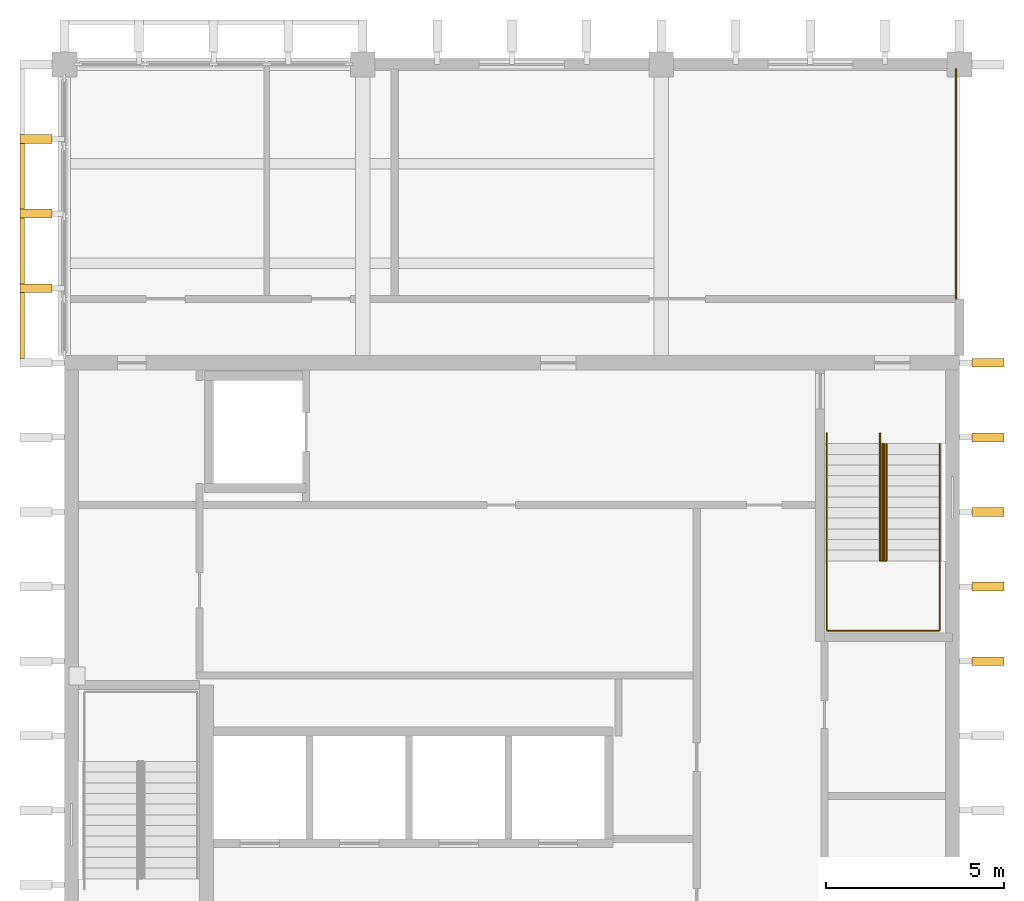
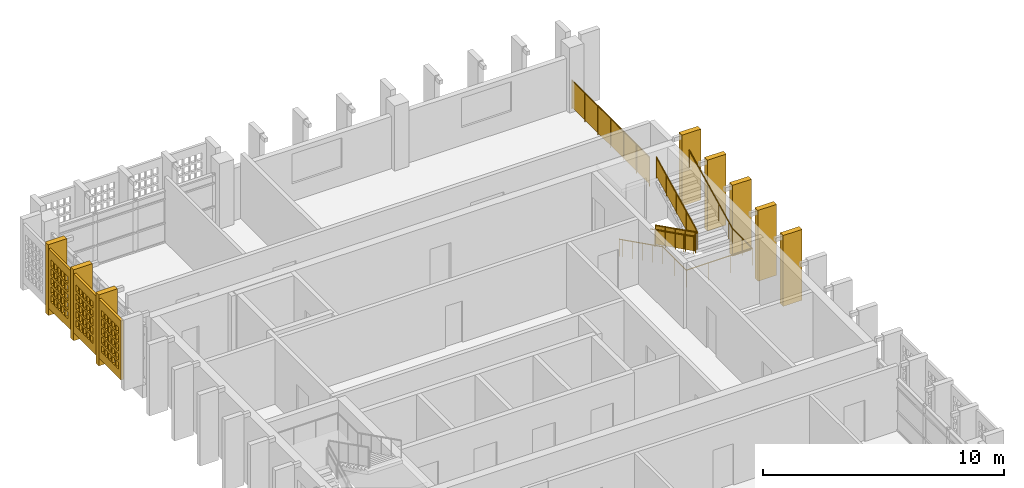
# One storey, part 10 of 13: 11 shading devices, 5 railings, 3 openings.
"""IFC4 building model written with IfcOpenShell, lengths in metres."""

from ifc_helpers import new_model, si_unit, direction, frame, origin, origin_2d, place, context, subcontext, project, spatial, polyline, rectangle, circle, outline, extrude, material, layer, layer_set, material_profile, profile_set, type_object, element, save


model = new_model("IFC4")

# Units and contexts
model_context = context("Model", 3, precision=1e-05, world=origin(), true_north=direction((0.0, 1.0)))
body_context = subcontext(model_context, "Body", "Model", "MODEL_VIEW")
ifc_project = project(units=[si_unit("LENGTHUNIT", "METRE"), si_unit("AREAUNIT", "SQUARE_METRE"), si_unit("VOLUMEUNIT", "CUBIC_METRE"), si_unit("PLANEANGLEUNIT", "RADIAN"), si_unit("MASSUNIT", "GRAM", prefix="KILO")], contexts=[model_context])

# Site, building, storey
site_placement = place(None, origin())
site = spatial("IfcSite", under=ifc_project, at=site_placement, CompositionType="ELEMENT")
building_placement = place(site_placement, origin())
building = spatial("IfcBuilding", under=site, at=building_placement, Name="Rulbaag Community and Learning Centre", CompositionType="ELEMENT")
storey_placement = place(building_placement, frame((0.0, 0.0, 54.0)))
storey = spatial("IfcBuildingStorey", under=building, at=storey_placement, Name="L14", CompositionType="ELEMENT", Elevation=54.0)

# Shading devices
ifc_material_1 = material(Name="Concrete M40", Category="concrete")
ifc_material_profile = material_profile(ifc_material_1, rectangle(XDim=0.25, YDim=0.89990234375, at=origin_2d()), Name="PC 250x900")
ifc_profile_set = profile_set([ifc_material_profile], Name="Concrete M40")
shading_device_type_1 = type_object("IfcShadingDeviceType", Name="FIN-H", PredefinedType="JALOUSIE", material=ifc_profile_set)
for number, where, z_axis, x_axis, name in (
    (1, (142.0, 111.300048828125, 0.0), (0.0, 0.0, 1.0), (0.0, 1.0, 0.0), "Precast fin"),
    (2, (142.0, 113.39990234375, 0.0), (0.0, 0.0, 1.0), (0.0, 1.0, 0.0), "Precast fin"),
    (3, (142.0, 115.5, 0.0), (0.0, 0.0, 1.0), (0.0, 1.0, 0.0), "Precast fin"),
    (4, (168.800048828125, 100.800048828125, 0.0), (0.0, 0.0, 1.0), (0.0, 1.0, 0.0), "Precast fin"),
    (5, (168.800048828125, 102.89990234375, 0.0), (0.0, 0.0, 1.0), (0.0, 1.0, 0.0), "Precast fin"),
    (6, (168.800048828125, 105.0, 0.0), (0.0, 0.0, 1.0), (0.0, 1.0, 0.0), "Precast fin"),
    (7, (168.800048828125, 107.10009765625, 0.0), (0.0, 0.0, 1.0), (0.0, 1.0, 0.0), "Precast fin"),
    (8, (168.800048828125, 109.199951171875, 0.0), (0.0, 0.0, 1.0), (0.0, 1.0, 0.0), "Precast fin"),
):
    element("IfcShadingDevice", number, at=place(storey_placement, frame(where, z_axis=z_axis, x_axis=x_axis)), inside=storey, type_object=shading_device_type_1, Name=name, PredefinedType="JALOUSIE", context=body_context, shape_type="SweptSolid", body=[
        extrude(rectangle(XDim=0.25, YDim=0.89990234375, at=origin_2d()), origin(), (0.0, 0.0, 1.0), 3.60009765625),
    ])

# Railings
ifc_material_2 = material(Name="Galvanised mild steel", Category="steel")
railing_type_1 = type_object("IfcRailingType", Name="GR-1100 GUARD 1100", PredefinedType="GUARDRAIL", material=ifc_material_2)
railing_1_placement = place(storey_placement, frame((165.830078125, 106.925048828125, 0.14990234375)))
element("IfcRailing", 9, at=railing_1_placement, inside=storey, type_object=railing_type_1, Name="Guard ST2 L14 G", PredefinedType="GUARDRAIL", context=body_context, shape_type="SweptSolid", body=[
    extrude(circle(Radius=0.02490234375, at=origin_2d()), frame((0.0, 0.0, 1.0751953125), z_axis=(0.0, -0.894413956696, 0.447240063129), x_axis=(1.0, 0.0, 0.0)), (0.0, 0.0, 1.0), 3.689697265625),
    extrude(circle(Radius=0.02001953125, at=origin_2d()), origin(), (0.0, 0.0, 1.0), 1.050048828125),
    extrude(circle(Radius=0.02001953125, at=origin_2d()), frame((0.0, -0.824951171875, 0.41259765625)), (0.0, 0.0, 1.0), 1.050048828125),
    extrude(circle(Radius=0.02001953125, at=origin_2d()), frame((0.0, -1.64990234375, 0.8251953125)), (0.0, 0.0, 1.0), 1.050048828125),
    extrude(circle(Radius=0.02001953125, at=origin_2d()), frame((0.0, -2.47509765625, 1.237548828125)), (0.0, 0.0, 1.0), 1.050048828125),
    extrude(circle(Radius=0.02001953125, at=origin_2d()), frame((0.0, -3.300048828125, 1.650146484375)), (0.0, 0.0, 1.0), 1.050048828125),
    extrude(outline(polyline([(0.0, 0.0), (3.300048828125, 1.650146484375), (3.300048828125, 2.60009765625), (0.0, 0.949951171875), (0.0, 0.0)])), frame((0.0048828125, 0.0, 0.10009765625), z_axis=(-1.0, 0.0, 0.0), x_axis=(0.0, -1.0, 0.0)), (0.0, 0.0, 1.0), 0.010009765625),
])
railing_2_placement = place(storey_placement, frame((165.8701171875, 103.625, 1.949951171875)))
element("IfcRailing", 10, at=railing_2_placement, inside=storey, type_object=railing_type_1, Name="Guard ST2 L14 G2", PredefinedType="GUARDRAIL", context=body_context, shape_type="SweptSolid", body=[
    extrude(circle(Radius=0.02490234375, at=origin_2d()), frame((0.0, 0.0, 1.0751953125), z_axis=(0.0, 0.894413956696, 0.447240063129), x_axis=(-1.0, 0.0, 0.0)), (0.0, 0.0, 1.0), 3.689697265625),
    extrude(circle(Radius=0.02001953125, at=origin_2d()), origin(), (0.0, 0.0, 1.0), 1.050048828125),
    extrude(circle(Radius=0.02001953125, at=origin_2d()), frame((0.0, 0.824951171875, 0.41259765625)), (0.0, 0.0, 1.0), 1.050048828125),
    extrude(circle(Radius=0.02001953125, at=origin_2d()), frame((0.0, 1.64990234375, 0.8251953125)), (0.0, 0.0, 1.0), 1.050048828125),
    extrude(circle(Radius=0.02001953125, at=origin_2d()), frame((0.0, 2.47509765625, 1.237548828125)), (0.0, 0.0, 1.0), 1.050048828125),
    extrude(circle(Radius=0.02001953125, at=origin_2d()), frame((0.0, 3.300048828125, 1.650146484375)), (0.0, 0.0, 1.0), 1.050048828125),
    extrude(outline(polyline([(0.0, 0.0), (3.300048828125, 1.650146484375), (3.300048828125, 2.60009765625), (0.0, 0.949951171875), (0.0, 0.0)])), frame((-0.0048828125, 0.0, 0.10009765625), z_axis=(1.0, 0.0, 0.0), x_axis=(0.0, 1.0, 0.0)), (0.0, 0.0, 1.0), 0.010009765625),
])
ifc_material_3 = material(Name="Stainless steel grade 316", Category="steel")
railing_type_2 = type_object("IfcRailingType", Name="HR-900 HANDRAIL 900", PredefinedType="HANDRAIL", material=ifc_material_3)
railing_3_placement = place(storey_placement, frame((164.260009765625, 107.22509765625, 0.0)))
element("IfcRailing", 11, at=railing_3_placement, inside=storey, type_object=railing_type_2, Name="Handrail ST2 L14 O", PredefinedType="HANDRAIL", context=body_context, shape_type="SweptSolid", body=[
    extrude(circle(Radius=0.024169921875, at=origin_2d()), frame((0.0, 0.0, 0.875732421875), z_axis=(0.0, -0.894572720946, 0.446922417137), x_axis=(1.0, 0.0, 0.0)), (0.0, 0.0, 1.0), 0.33544921875),
    extrude(circle(Radius=0.024169921875, at=origin_2d()), frame((0.0, -0.300048828125, 1.025634765625), z_axis=(0.0, -0.894413956696, 0.447240063129), x_axis=(1.0, 0.0, 0.0)), (0.0, 0.0, 1.0), 3.689697265625),
    extrude(circle(Radius=0.024169921875, at=origin_2d()), frame((0.0, -3.60009765625, 2.67578125), z_axis=(0.0, -1.0, 0.0), x_axis=(1.0, 0.0, 0.0)), (0.0, 0.0, 1.0), 1.965087890625),
    extrude(circle(Radius=0.024169921875, at=origin_2d()), frame((0.0, -5.565185546875, 2.67578125), z_axis=(1.0, 0.0, 0.0), x_axis=(0.0, 1.0, 0.0)), (0.0, 0.0, 1.0), 3.179931640625),
    extrude(circle(Radius=0.024169921875, at=origin_2d()), frame((3.179931640625, -5.565185546875, 2.67578125), z_axis=(0.0, 1.0, 0.0), x_axis=(-1.0, 0.0, 0.0)), (0.0, 0.0, 1.0), 1.6650390625),
    extrude(circle(Radius=0.024169921875, at=origin_2d()), frame((3.179931640625, -3.900146484375, 2.67578125), z_axis=(0.0, 0.894572720946, 0.446922417137), x_axis=(-1.0, 0.0, 0.0)), (0.0, 0.0, 1.0), 0.33544921875),
    extrude(circle(Radius=0.024169921875, at=origin_2d()), frame((3.179931640625, -3.60009765625, 2.82568359375), z_axis=(0.0, 0.894413956696, 0.447240063129), x_axis=(-1.0, 0.0, 0.0)), (0.0, 0.0, 1.0), 3.689697265625),
    extrude(circle(Radius=0.008056640625, at=origin_2d()), origin(), (0.0, 0.0, 1.0), 0.8515625),
    extrude(circle(Radius=0.008056640625, at=origin_2d()), frame((0.0, -0.300048828125, 0.14990234375)), (0.0, 0.0, 1.0), 0.8515625),
    extrude(circle(Radius=0.008056640625, at=origin_2d()), frame((0.0, -1.125, 0.5625)), (0.0, 0.0, 1.0), 0.8515625),
    extrude(circle(Radius=0.008056640625, at=origin_2d()), frame((0.0, -1.9501953125, 0.97509765625)), (0.0, 0.0, 1.0), 0.8515625),
    extrude(circle(Radius=0.008056640625, at=origin_2d()), frame((0.0, -2.775146484375, 1.387451171875)), (0.0, 0.0, 1.0), 0.8515625),
    extrude(circle(Radius=0.008056640625, at=origin_2d()), frame((0.0, -3.60009765625, 1.800048828125)), (0.0, 0.0, 1.0), 0.8515625),
    extrude(circle(Radius=0.008056640625, at=origin_2d()), frame((0.0, -4.58251953125, 1.800048828125)), (0.0, 0.0, 1.0), 0.8515625),
    extrude(circle(Radius=0.008056640625, at=origin_2d()), frame((0.0, -5.565185546875, 1.800048828125)), (0.0, 0.0, 1.0), 0.8515625),
    extrude(circle(Radius=0.008056640625, at=origin_2d()), frame((1.06005859375, -5.565185546875, 1.800048828125)), (0.0, 0.0, 1.0), 0.8515625),
    extrude(circle(Radius=0.008056640625, at=origin_2d()), frame((2.119873046875, -5.565185546875, 1.800048828125)), (0.0, 0.0, 1.0), 0.8515625),
    extrude(circle(Radius=0.008056640625, at=origin_2d()), frame((3.179931640625, -5.565185546875, 1.800048828125)), (0.0, 0.0, 1.0), 0.8515625),
    extrude(circle(Radius=0.008056640625, at=origin_2d()), frame((3.179931640625, -4.732666015625, 1.800048828125)), (0.0, 0.0, 1.0), 0.8515625),
    extrude(circle(Radius=0.008056640625, at=origin_2d()), frame((3.179931640625, -3.900146484375, 1.800048828125)), (0.0, 0.0, 1.0), 0.8515625),
    extrude(circle(Radius=0.008056640625, at=origin_2d()), frame((3.179931640625, -3.60009765625, 1.949951171875)), (0.0, 0.0, 1.0), 0.8515625),
    extrude(circle(Radius=0.008056640625, at=origin_2d()), frame((3.179931640625, -2.775146484375, 2.362548828125)), (0.0, 0.0, 1.0), 0.8515625),
    extrude(circle(Radius=0.008056640625, at=origin_2d()), frame((3.179931640625, -1.9501953125, 2.77490234375)), (0.0, 0.0, 1.0), 0.8515625),
    extrude(circle(Radius=0.008056640625, at=origin_2d()), frame((3.179931640625, -1.125, 3.1875)), (0.0, 0.0, 1.0), 0.8515625),
    extrude(circle(Radius=0.008056640625, at=origin_2d()), frame((3.179931640625, -0.300048828125, 3.60009765625)), (0.0, 0.0, 1.0), 0.8515625),
])
railing_4_placement = place(storey_placement, frame((165.760009765625, 107.22509765625, 0.0)))
element("IfcRailing", 12, at=railing_4_placement, inside=storey, type_object=railing_type_2, Name="Handrail ST2 L14 I", PredefinedType="HANDRAIL", context=body_context, shape_type="SweptSolid", body=[
    extrude(circle(Radius=0.024169921875, at=origin_2d()), frame((0.0, 0.0, 0.875732421875), z_axis=(0.0, -0.894572720946, 0.446922417137), x_axis=(1.0, 0.0, 0.0)), (0.0, 0.0, 1.0), 0.33544921875),
    extrude(circle(Radius=0.024169921875, at=origin_2d()), frame((0.0, -0.300048828125, 1.025634765625), z_axis=(0.0, -0.894413956696, 0.447240063129), x_axis=(1.0, 0.0, 0.0)), (0.0, 0.0, 1.0), 3.689697265625),
    extrude(circle(Radius=0.024169921875, at=origin_2d()), frame((0.0, -3.60009765625, 2.67578125), z_axis=(0.768306721819, 0.0, 0.640081855084), x_axis=(0.0, 1.0, 0.0)), (0.0, 0.0, 1.0), 0.234130859375),
    extrude(circle(Radius=0.024169921875, at=origin_2d()), frame((0.179931640625, -3.60009765625, 2.82568359375), z_axis=(0.0, 0.894413956696, 0.447240063129), x_axis=(-1.0, 0.0, 0.0)), (0.0, 0.0, 1.0), 3.689697265625),
    extrude(circle(Radius=0.008056640625, at=origin_2d()), origin(), (0.0, 0.0, 1.0), 0.8515625),
    extrude(circle(Radius=0.008056640625, at=origin_2d()), frame((0.0, -0.300048828125, 0.14990234375)), (0.0, 0.0, 1.0), 0.8515625),
    extrude(circle(Radius=0.008056640625, at=origin_2d()), frame((0.0, -1.125, 0.5625)), (0.0, 0.0, 1.0), 0.8515625),
    extrude(circle(Radius=0.008056640625, at=origin_2d()), frame((0.0, -1.9501953125, 0.97509765625)), (0.0, 0.0, 1.0), 0.8515625),
    extrude(circle(Radius=0.008056640625, at=origin_2d()), frame((0.0, -2.775146484375, 1.387451171875)), (0.0, 0.0, 1.0), 0.8515625),
    extrude(circle(Radius=0.008056640625, at=origin_2d()), frame((0.0, -3.60009765625, 1.800048828125)), (0.0, 0.0, 1.0), 0.8515625),
    extrude(circle(Radius=0.008056640625, at=origin_2d()), frame((0.179931640625, -3.60009765625, 1.949951171875)), (0.0, 0.0, 1.0), 0.8515625),
    extrude(circle(Radius=0.008056640625, at=origin_2d()), frame((0.179931640625, -2.775146484375, 2.362548828125)), (0.0, 0.0, 1.0), 0.8515625),
    extrude(circle(Radius=0.008056640625, at=origin_2d()), frame((0.179931640625, -1.9501953125, 2.77490234375)), (0.0, 0.0, 1.0), 0.8515625),
    extrude(circle(Radius=0.008056640625, at=origin_2d()), frame((0.179931640625, -1.125, 3.1875)), (0.0, 0.0, 1.0), 0.8515625),
    extrude(circle(Radius=0.008056640625, at=origin_2d()), frame((0.179931640625, -0.300048828125, 3.60009765625)), (0.0, 0.0, 1.0), 0.8515625),
])

# Shading device, opening
ifc_layer = layer(ifc_material_1, 0.1201171875)
ifc_layer_set = layer_set([ifc_layer], Name="JB-83")
shading_device_type_2 = type_object("IfcShadingDeviceType", Name="JB-83", PredefinedType="SHUTTER", material=ifc_layer_set)
shading_device_1_placement = place(storey_placement, frame((141.610107421875, 110.25, 0.39990234375), z_axis=(0.0, 0.0, 1.0), x_axis=(1.0, 0.0, 0.0)))
shading_device_1 = element("IfcShadingDevice", 13, at=shading_device_1_placement, inside=storey, type_object=shading_device_type_2, Name="Jaali screen", PredefinedType="SHUTTER", context=body_context, shape_type="SweptSolid", body=[
    extrude(rectangle(XDim=0.1201171875, YDim=1.85009765625, at=origin_2d()), origin(), (0.0, 0.0, 1.0), 3.0),
])
opening_1_placement = place(shading_device_1_placement, origin())
element("IfcOpeningElement", 14, at=opening_1_placement, cuts=shading_device_1, Name="Perforation JB1", PredefinedType="OPENING", context=body_context, shape_type="SweptSolid", body=[
    extrude(rectangle(XDim=0.22509765625, YDim=0.340087890625, at=origin_2d()), frame((-0.070068359375, -0.60009765625, 0.60009765625), z_axis=(1.0, 0.0, 0.0), x_axis=(0.0, 1.0, 0.0)), (0.0, 0.0, 1.0), 0.139892578125),
    extrude(rectangle(XDim=0.22509765625, YDim=0.340087890625, at=origin_2d()), frame((-0.070068359375, -0.300048828125, 0.60009765625), z_axis=(1.0, 0.0, 0.0), x_axis=(0.0, 1.0, 0.0)), (0.0, 0.0, 1.0), 0.139892578125),
    extrude(rectangle(XDim=0.22509765625, YDim=0.340087890625, at=origin_2d()), frame((-0.070068359375, 0.0, 0.60009765625), z_axis=(1.0, 0.0, 0.0), x_axis=(0.0, 1.0, 0.0)), (0.0, 0.0, 1.0), 0.139892578125),
    extrude(rectangle(XDim=0.22509765625, YDim=0.340087890625, at=origin_2d()), frame((-0.070068359375, 0.300048828125, 0.60009765625), z_axis=(1.0, 0.0, 0.0), x_axis=(0.0, 1.0, 0.0)), (0.0, 0.0, 1.0), 0.139892578125),
    extrude(rectangle(XDim=0.22509765625, YDim=0.340087890625, at=origin_2d()), frame((-0.070068359375, 0.60009765625, 0.60009765625), z_axis=(1.0, 0.0, 0.0), x_axis=(0.0, 1.0, 0.0)), (0.0, 0.0, 1.0), 0.139892578125),
    extrude(rectangle(XDim=0.22509765625, YDim=0.340087890625, at=origin_2d()), frame((-0.070068359375, -0.60009765625, 1.050048828125), z_axis=(1.0, 0.0, 0.0), x_axis=(0.0, 1.0, 0.0)), (0.0, 0.0, 1.0), 0.139892578125),
    extrude(rectangle(XDim=0.22509765625, YDim=0.340087890625, at=origin_2d()), frame((-0.070068359375, -0.300048828125, 1.050048828125), z_axis=(1.0, 0.0, 0.0), x_axis=(0.0, 1.0, 0.0)), (0.0, 0.0, 1.0), 0.139892578125),
    extrude(rectangle(XDim=0.22509765625, YDim=0.340087890625, at=origin_2d()), frame((-0.070068359375, 0.0, 1.050048828125), z_axis=(1.0, 0.0, 0.0), x_axis=(0.0, 1.0, 0.0)), (0.0, 0.0, 1.0), 0.139892578125),
    extrude(rectangle(XDim=0.22509765625, YDim=0.340087890625, at=origin_2d()), frame((-0.070068359375, 0.300048828125, 1.050048828125), z_axis=(1.0, 0.0, 0.0), x_axis=(0.0, 1.0, 0.0)), (0.0, 0.0, 1.0), 0.139892578125),
    extrude(rectangle(XDim=0.22509765625, YDim=0.340087890625, at=origin_2d()), frame((-0.070068359375, 0.60009765625, 1.050048828125), z_axis=(1.0, 0.0, 0.0), x_axis=(0.0, 1.0, 0.0)), (0.0, 0.0, 1.0), 0.139892578125),
    extrude(rectangle(XDim=0.22509765625, YDim=0.340087890625, at=origin_2d()), frame((-0.070068359375, -0.60009765625, 1.5), z_axis=(1.0, 0.0, 0.0), x_axis=(0.0, 1.0, 0.0)), (0.0, 0.0, 1.0), 0.139892578125),
    extrude(rectangle(XDim=0.22509765625, YDim=0.340087890625, at=origin_2d()), frame((-0.070068359375, -0.300048828125, 1.5), z_axis=(1.0, 0.0, 0.0), x_axis=(0.0, 1.0, 0.0)), (0.0, 0.0, 1.0), 0.139892578125),
    extrude(rectangle(XDim=0.22509765625, YDim=0.340087890625, at=origin_2d()), frame((-0.070068359375, 0.0, 1.5), z_axis=(1.0, 0.0, 0.0), x_axis=(0.0, 1.0, 0.0)), (0.0, 0.0, 1.0), 0.139892578125),
    extrude(rectangle(XDim=0.22509765625, YDim=0.340087890625, at=origin_2d()), frame((-0.070068359375, 0.300048828125, 1.5), z_axis=(1.0, 0.0, 0.0), x_axis=(0.0, 1.0, 0.0)), (0.0, 0.0, 1.0), 0.139892578125),
    extrude(rectangle(XDim=0.22509765625, YDim=0.340087890625, at=origin_2d()), frame((-0.070068359375, 0.60009765625, 1.5), z_axis=(1.0, 0.0, 0.0), x_axis=(0.0, 1.0, 0.0)), (0.0, 0.0, 1.0), 0.139892578125),
    extrude(rectangle(XDim=0.22509765625, YDim=0.340087890625, at=origin_2d()), frame((-0.070068359375, -0.60009765625, 1.949951171875), z_axis=(1.0, 0.0, 0.0), x_axis=(0.0, 1.0, 0.0)), (0.0, 0.0, 1.0), 0.139892578125),
    extrude(rectangle(XDim=0.22509765625, YDim=0.340087890625, at=origin_2d()), frame((-0.070068359375, -0.300048828125, 1.949951171875), z_axis=(1.0, 0.0, 0.0), x_axis=(0.0, 1.0, 0.0)), (0.0, 0.0, 1.0), 0.139892578125),
    extrude(rectangle(XDim=0.22509765625, YDim=0.340087890625, at=origin_2d()), frame((-0.070068359375, 0.0, 1.949951171875), z_axis=(1.0, 0.0, 0.0), x_axis=(0.0, 1.0, 0.0)), (0.0, 0.0, 1.0), 0.139892578125),
    extrude(rectangle(XDim=0.22509765625, YDim=0.340087890625, at=origin_2d()), frame((-0.070068359375, 0.300048828125, 1.949951171875), z_axis=(1.0, 0.0, 0.0), x_axis=(0.0, 1.0, 0.0)), (0.0, 0.0, 1.0), 0.139892578125),
    extrude(rectangle(XDim=0.22509765625, YDim=0.340087890625, at=origin_2d()), frame((-0.070068359375, 0.60009765625, 1.949951171875), z_axis=(1.0, 0.0, 0.0), x_axis=(0.0, 1.0, 0.0)), (0.0, 0.0, 1.0), 0.139892578125),
    extrude(rectangle(XDim=0.22509765625, YDim=0.340087890625, at=origin_2d()), frame((-0.070068359375, -0.60009765625, 2.39990234375), z_axis=(1.0, 0.0, 0.0), x_axis=(0.0, 1.0, 0.0)), (0.0, 0.0, 1.0), 0.139892578125),
    extrude(rectangle(XDim=0.22509765625, YDim=0.340087890625, at=origin_2d()), frame((-0.070068359375, -0.300048828125, 2.39990234375), z_axis=(1.0, 0.0, 0.0), x_axis=(0.0, 1.0, 0.0)), (0.0, 0.0, 1.0), 0.139892578125),
    extrude(rectangle(XDim=0.22509765625, YDim=0.340087890625, at=origin_2d()), frame((-0.070068359375, 0.0, 2.39990234375), z_axis=(1.0, 0.0, 0.0), x_axis=(0.0, 1.0, 0.0)), (0.0, 0.0, 1.0), 0.139892578125),
    extrude(rectangle(XDim=0.22509765625, YDim=0.340087890625, at=origin_2d()), frame((-0.070068359375, 0.300048828125, 2.39990234375), z_axis=(1.0, 0.0, 0.0), x_axis=(0.0, 1.0, 0.0)), (0.0, 0.0, 1.0), 0.139892578125),
    extrude(rectangle(XDim=0.22509765625, YDim=0.340087890625, at=origin_2d()), frame((-0.070068359375, 0.60009765625, 2.39990234375), z_axis=(1.0, 0.0, 0.0), x_axis=(0.0, 1.0, 0.0)), (0.0, 0.0, 1.0), 0.139892578125),
])

shading_device_2_placement = place(storey_placement, frame((141.610107421875, 112.35009765625, 0.39990234375), z_axis=(0.0, 0.0, 1.0), x_axis=(1.0, 0.0, 0.0)))
shading_device_2 = element("IfcShadingDevice", 15, at=shading_device_2_placement, inside=storey, type_object=shading_device_type_2, Name="Jaali screen", PredefinedType="SHUTTER", context=body_context, shape_type="SweptSolid", body=[
    extrude(rectangle(XDim=0.1201171875, YDim=1.85009765625, at=origin_2d()), origin(), (0.0, 0.0, 1.0), 3.0),
])
opening_2_placement = place(shading_device_2_placement, origin())
element("IfcOpeningElement", 16, at=opening_2_placement, cuts=shading_device_2, Name="Perforation JB1", PredefinedType="OPENING", context=body_context, shape_type="SweptSolid", body=[
    extrude(rectangle(XDim=0.22509765625, YDim=0.340087890625, at=origin_2d()), frame((-0.070068359375, -0.60009765625, 0.60009765625), z_axis=(1.0, 0.0, 0.0), x_axis=(0.0, 1.0, 0.0)), (0.0, 0.0, 1.0), 0.139892578125),
    extrude(rectangle(XDim=0.22509765625, YDim=0.340087890625, at=origin_2d()), frame((-0.070068359375, -0.300048828125, 0.60009765625), z_axis=(1.0, 0.0, 0.0), x_axis=(0.0, 1.0, 0.0)), (0.0, 0.0, 1.0), 0.139892578125),
    extrude(rectangle(XDim=0.22509765625, YDim=0.340087890625, at=origin_2d()), frame((-0.070068359375, 0.0, 0.60009765625), z_axis=(1.0, 0.0, 0.0), x_axis=(0.0, 1.0, 0.0)), (0.0, 0.0, 1.0), 0.139892578125),
    extrude(rectangle(XDim=0.22509765625, YDim=0.340087890625, at=origin_2d()), frame((-0.070068359375, 0.300048828125, 0.60009765625), z_axis=(1.0, 0.0, 0.0), x_axis=(0.0, 1.0, 0.0)), (0.0, 0.0, 1.0), 0.139892578125),
    extrude(rectangle(XDim=0.22509765625, YDim=0.340087890625, at=origin_2d()), frame((-0.070068359375, 0.60009765625, 0.60009765625), z_axis=(1.0, 0.0, 0.0), x_axis=(0.0, 1.0, 0.0)), (0.0, 0.0, 1.0), 0.139892578125),
    extrude(rectangle(XDim=0.22509765625, YDim=0.340087890625, at=origin_2d()), frame((-0.070068359375, -0.60009765625, 1.050048828125), z_axis=(1.0, 0.0, 0.0), x_axis=(0.0, 1.0, 0.0)), (0.0, 0.0, 1.0), 0.139892578125),
    extrude(rectangle(XDim=0.22509765625, YDim=0.340087890625, at=origin_2d()), frame((-0.070068359375, -0.300048828125, 1.050048828125), z_axis=(1.0, 0.0, 0.0), x_axis=(0.0, 1.0, 0.0)), (0.0, 0.0, 1.0), 0.139892578125),
    extrude(rectangle(XDim=0.22509765625, YDim=0.340087890625, at=origin_2d()), frame((-0.070068359375, 0.0, 1.050048828125), z_axis=(1.0, 0.0, 0.0), x_axis=(0.0, 1.0, 0.0)), (0.0, 0.0, 1.0), 0.139892578125),
    extrude(rectangle(XDim=0.22509765625, YDim=0.340087890625, at=origin_2d()), frame((-0.070068359375, 0.300048828125, 1.050048828125), z_axis=(1.0, 0.0, 0.0), x_axis=(0.0, 1.0, 0.0)), (0.0, 0.0, 1.0), 0.139892578125),
    extrude(rectangle(XDim=0.22509765625, YDim=0.340087890625, at=origin_2d()), frame((-0.070068359375, 0.60009765625, 1.050048828125), z_axis=(1.0, 0.0, 0.0), x_axis=(0.0, 1.0, 0.0)), (0.0, 0.0, 1.0), 0.139892578125),
    extrude(rectangle(XDim=0.22509765625, YDim=0.340087890625, at=origin_2d()), frame((-0.070068359375, -0.60009765625, 1.5), z_axis=(1.0, 0.0, 0.0), x_axis=(0.0, 1.0, 0.0)), (0.0, 0.0, 1.0), 0.139892578125),
    extrude(rectangle(XDim=0.22509765625, YDim=0.340087890625, at=origin_2d()), frame((-0.070068359375, -0.300048828125, 1.5), z_axis=(1.0, 0.0, 0.0), x_axis=(0.0, 1.0, 0.0)), (0.0, 0.0, 1.0), 0.139892578125),
    extrude(rectangle(XDim=0.22509765625, YDim=0.340087890625, at=origin_2d()), frame((-0.070068359375, 0.0, 1.5), z_axis=(1.0, 0.0, 0.0), x_axis=(0.0, 1.0, 0.0)), (0.0, 0.0, 1.0), 0.139892578125),
    extrude(rectangle(XDim=0.22509765625, YDim=0.340087890625, at=origin_2d()), frame((-0.070068359375, 0.300048828125, 1.5), z_axis=(1.0, 0.0, 0.0), x_axis=(0.0, 1.0, 0.0)), (0.0, 0.0, 1.0), 0.139892578125),
    extrude(rectangle(XDim=0.22509765625, YDim=0.340087890625, at=origin_2d()), frame((-0.070068359375, 0.60009765625, 1.5), z_axis=(1.0, 0.0, 0.0), x_axis=(0.0, 1.0, 0.0)), (0.0, 0.0, 1.0), 0.139892578125),
    extrude(rectangle(XDim=0.22509765625, YDim=0.340087890625, at=origin_2d()), frame((-0.070068359375, -0.60009765625, 1.949951171875), z_axis=(1.0, 0.0, 0.0), x_axis=(0.0, 1.0, 0.0)), (0.0, 0.0, 1.0), 0.139892578125),
    extrude(rectangle(XDim=0.22509765625, YDim=0.340087890625, at=origin_2d()), frame((-0.070068359375, -0.300048828125, 1.949951171875), z_axis=(1.0, 0.0, 0.0), x_axis=(0.0, 1.0, 0.0)), (0.0, 0.0, 1.0), 0.139892578125),
    extrude(rectangle(XDim=0.22509765625, YDim=0.340087890625, at=origin_2d()), frame((-0.070068359375, 0.0, 1.949951171875), z_axis=(1.0, 0.0, 0.0), x_axis=(0.0, 1.0, 0.0)), (0.0, 0.0, 1.0), 0.139892578125),
    extrude(rectangle(XDim=0.22509765625, YDim=0.340087890625, at=origin_2d()), frame((-0.070068359375, 0.300048828125, 1.949951171875), z_axis=(1.0, 0.0, 0.0), x_axis=(0.0, 1.0, 0.0)), (0.0, 0.0, 1.0), 0.139892578125),
    extrude(rectangle(XDim=0.22509765625, YDim=0.340087890625, at=origin_2d()), frame((-0.070068359375, 0.60009765625, 1.949951171875), z_axis=(1.0, 0.0, 0.0), x_axis=(0.0, 1.0, 0.0)), (0.0, 0.0, 1.0), 0.139892578125),
    extrude(rectangle(XDim=0.22509765625, YDim=0.340087890625, at=origin_2d()), frame((-0.070068359375, -0.60009765625, 2.39990234375), z_axis=(1.0, 0.0, 0.0), x_axis=(0.0, 1.0, 0.0)), (0.0, 0.0, 1.0), 0.139892578125),
    extrude(rectangle(XDim=0.22509765625, YDim=0.340087890625, at=origin_2d()), frame((-0.070068359375, -0.300048828125, 2.39990234375), z_axis=(1.0, 0.0, 0.0), x_axis=(0.0, 1.0, 0.0)), (0.0, 0.0, 1.0), 0.139892578125),
    extrude(rectangle(XDim=0.22509765625, YDim=0.340087890625, at=origin_2d()), frame((-0.070068359375, 0.0, 2.39990234375), z_axis=(1.0, 0.0, 0.0), x_axis=(0.0, 1.0, 0.0)), (0.0, 0.0, 1.0), 0.139892578125),
    extrude(rectangle(XDim=0.22509765625, YDim=0.340087890625, at=origin_2d()), frame((-0.070068359375, 0.300048828125, 2.39990234375), z_axis=(1.0, 0.0, 0.0), x_axis=(0.0, 1.0, 0.0)), (0.0, 0.0, 1.0), 0.139892578125),
    extrude(rectangle(XDim=0.22509765625, YDim=0.340087890625, at=origin_2d()), frame((-0.070068359375, 0.60009765625, 2.39990234375), z_axis=(1.0, 0.0, 0.0), x_axis=(0.0, 1.0, 0.0)), (0.0, 0.0, 1.0), 0.139892578125),
])

shading_device_3_placement = place(storey_placement, frame((141.610107421875, 114.449951171875, 0.39990234375), z_axis=(0.0, 0.0, 1.0), x_axis=(1.0, 0.0, 0.0)))
shading_device_3 = element("IfcShadingDevice", 17, at=shading_device_3_placement, inside=storey, type_object=shading_device_type_2, Name="Jaali screen", PredefinedType="SHUTTER", context=body_context, shape_type="SweptSolid", body=[
    extrude(rectangle(XDim=0.1201171875, YDim=1.85009765625, at=origin_2d()), origin(), (0.0, 0.0, 1.0), 3.0),
])
opening_3_placement = place(shading_device_3_placement, origin())
element("IfcOpeningElement", 18, at=opening_3_placement, cuts=shading_device_3, Name="Perforation JB1", PredefinedType="OPENING", context=body_context, shape_type="SweptSolid", body=[
    extrude(rectangle(XDim=0.22509765625, YDim=0.340087890625, at=origin_2d()), frame((-0.070068359375, -0.60009765625, 0.60009765625), z_axis=(1.0, 0.0, 0.0), x_axis=(0.0, 1.0, 0.0)), (0.0, 0.0, 1.0), 0.139892578125),
    extrude(rectangle(XDim=0.22509765625, YDim=0.340087890625, at=origin_2d()), frame((-0.070068359375, -0.300048828125, 0.60009765625), z_axis=(1.0, 0.0, 0.0), x_axis=(0.0, 1.0, 0.0)), (0.0, 0.0, 1.0), 0.139892578125),
    extrude(rectangle(XDim=0.22509765625, YDim=0.340087890625, at=origin_2d()), frame((-0.070068359375, 0.0, 0.60009765625), z_axis=(1.0, 0.0, 0.0), x_axis=(0.0, 1.0, 0.0)), (0.0, 0.0, 1.0), 0.139892578125),
    extrude(rectangle(XDim=0.22509765625, YDim=0.340087890625, at=origin_2d()), frame((-0.070068359375, 0.300048828125, 0.60009765625), z_axis=(1.0, 0.0, 0.0), x_axis=(0.0, 1.0, 0.0)), (0.0, 0.0, 1.0), 0.139892578125),
    extrude(rectangle(XDim=0.22509765625, YDim=0.340087890625, at=origin_2d()), frame((-0.070068359375, 0.60009765625, 0.60009765625), z_axis=(1.0, 0.0, 0.0), x_axis=(0.0, 1.0, 0.0)), (0.0, 0.0, 1.0), 0.139892578125),
    extrude(rectangle(XDim=0.22509765625, YDim=0.340087890625, at=origin_2d()), frame((-0.070068359375, -0.60009765625, 1.050048828125), z_axis=(1.0, 0.0, 0.0), x_axis=(0.0, 1.0, 0.0)), (0.0, 0.0, 1.0), 0.139892578125),
    extrude(rectangle(XDim=0.22509765625, YDim=0.340087890625, at=origin_2d()), frame((-0.070068359375, -0.300048828125, 1.050048828125), z_axis=(1.0, 0.0, 0.0), x_axis=(0.0, 1.0, 0.0)), (0.0, 0.0, 1.0), 0.139892578125),
    extrude(rectangle(XDim=0.22509765625, YDim=0.340087890625, at=origin_2d()), frame((-0.070068359375, 0.0, 1.050048828125), z_axis=(1.0, 0.0, 0.0), x_axis=(0.0, 1.0, 0.0)), (0.0, 0.0, 1.0), 0.139892578125),
    extrude(rectangle(XDim=0.22509765625, YDim=0.340087890625, at=origin_2d()), frame((-0.070068359375, 0.300048828125, 1.050048828125), z_axis=(1.0, 0.0, 0.0), x_axis=(0.0, 1.0, 0.0)), (0.0, 0.0, 1.0), 0.139892578125),
    extrude(rectangle(XDim=0.22509765625, YDim=0.340087890625, at=origin_2d()), frame((-0.070068359375, 0.60009765625, 1.050048828125), z_axis=(1.0, 0.0, 0.0), x_axis=(0.0, 1.0, 0.0)), (0.0, 0.0, 1.0), 0.139892578125),
    extrude(rectangle(XDim=0.22509765625, YDim=0.340087890625, at=origin_2d()), frame((-0.070068359375, -0.60009765625, 1.5), z_axis=(1.0, 0.0, 0.0), x_axis=(0.0, 1.0, 0.0)), (0.0, 0.0, 1.0), 0.139892578125),
    extrude(rectangle(XDim=0.22509765625, YDim=0.340087890625, at=origin_2d()), frame((-0.070068359375, -0.300048828125, 1.5), z_axis=(1.0, 0.0, 0.0), x_axis=(0.0, 1.0, 0.0)), (0.0, 0.0, 1.0), 0.139892578125),
    extrude(rectangle(XDim=0.22509765625, YDim=0.340087890625, at=origin_2d()), frame((-0.070068359375, 0.0, 1.5), z_axis=(1.0, 0.0, 0.0), x_axis=(0.0, 1.0, 0.0)), (0.0, 0.0, 1.0), 0.139892578125),
    extrude(rectangle(XDim=0.22509765625, YDim=0.340087890625, at=origin_2d()), frame((-0.070068359375, 0.300048828125, 1.5), z_axis=(1.0, 0.0, 0.0), x_axis=(0.0, 1.0, 0.0)), (0.0, 0.0, 1.0), 0.139892578125),
    extrude(rectangle(XDim=0.22509765625, YDim=0.340087890625, at=origin_2d()), frame((-0.070068359375, 0.60009765625, 1.5), z_axis=(1.0, 0.0, 0.0), x_axis=(0.0, 1.0, 0.0)), (0.0, 0.0, 1.0), 0.139892578125),
    extrude(rectangle(XDim=0.22509765625, YDim=0.340087890625, at=origin_2d()), frame((-0.070068359375, -0.60009765625, 1.949951171875), z_axis=(1.0, 0.0, 0.0), x_axis=(0.0, 1.0, 0.0)), (0.0, 0.0, 1.0), 0.139892578125),
    extrude(rectangle(XDim=0.22509765625, YDim=0.340087890625, at=origin_2d()), frame((-0.070068359375, -0.300048828125, 1.949951171875), z_axis=(1.0, 0.0, 0.0), x_axis=(0.0, 1.0, 0.0)), (0.0, 0.0, 1.0), 0.139892578125),
    extrude(rectangle(XDim=0.22509765625, YDim=0.340087890625, at=origin_2d()), frame((-0.070068359375, 0.0, 1.949951171875), z_axis=(1.0, 0.0, 0.0), x_axis=(0.0, 1.0, 0.0)), (0.0, 0.0, 1.0), 0.139892578125),
    extrude(rectangle(XDim=0.22509765625, YDim=0.340087890625, at=origin_2d()), frame((-0.070068359375, 0.300048828125, 1.949951171875), z_axis=(1.0, 0.0, 0.0), x_axis=(0.0, 1.0, 0.0)), (0.0, 0.0, 1.0), 0.139892578125),
    extrude(rectangle(XDim=0.22509765625, YDim=0.340087890625, at=origin_2d()), frame((-0.070068359375, 0.60009765625, 1.949951171875), z_axis=(1.0, 0.0, 0.0), x_axis=(0.0, 1.0, 0.0)), (0.0, 0.0, 1.0), 0.139892578125),
    extrude(rectangle(XDim=0.22509765625, YDim=0.340087890625, at=origin_2d()), frame((-0.070068359375, -0.60009765625, 2.39990234375), z_axis=(1.0, 0.0, 0.0), x_axis=(0.0, 1.0, 0.0)), (0.0, 0.0, 1.0), 0.139892578125),
    extrude(rectangle(XDim=0.22509765625, YDim=0.340087890625, at=origin_2d()), frame((-0.070068359375, -0.300048828125, 2.39990234375), z_axis=(1.0, 0.0, 0.0), x_axis=(0.0, 1.0, 0.0)), (0.0, 0.0, 1.0), 0.139892578125),
    extrude(rectangle(XDim=0.22509765625, YDim=0.340087890625, at=origin_2d()), frame((-0.070068359375, 0.0, 2.39990234375), z_axis=(1.0, 0.0, 0.0), x_axis=(0.0, 1.0, 0.0)), (0.0, 0.0, 1.0), 0.139892578125),
    extrude(rectangle(XDim=0.22509765625, YDim=0.340087890625, at=origin_2d()), frame((-0.070068359375, 0.300048828125, 2.39990234375), z_axis=(1.0, 0.0, 0.0), x_axis=(0.0, 1.0, 0.0)), (0.0, 0.0, 1.0), 0.139892578125),
    extrude(rectangle(XDim=0.22509765625, YDim=0.340087890625, at=origin_2d()), frame((-0.070068359375, 0.60009765625, 2.39990234375), z_axis=(1.0, 0.0, 0.0), x_axis=(0.0, 1.0, 0.0)), (0.0, 0.0, 1.0), 0.139892578125),
])

# Railing
railing_type_3 = type_object("IfcRailingType", Name="RL-150", PredefinedType="GUARDRAIL", material=ifc_material_2)
railing_5_placement = place(storey_placement, frame((167.89990234375, 111.0, 0.0)))
element("IfcRailing", 19, at=railing_5_placement, inside=storey, type_object=railing_type_3, Name="Refuge guard", PredefinedType="GUARDRAIL", context=body_context, shape_type="SweptSolid", body=[
    extrude(circle(Radius=0.02490234375, at=origin_2d()), frame((0.0, 0.0, 1.47509765625), z_axis=(0.0, 1.0, 0.0), x_axis=(-1.0, 0.0, 0.0)), (0.0, 0.0, 1.0), 6.47509765625),
    extrude(circle(Radius=0.02001953125, at=origin_2d()), origin(), (0.0, 0.0, 1.0), 1.449951171875),
    extrude(circle(Radius=0.02001953125, at=origin_2d()), frame((0.0, 1.0791015625, 0.0)), (0.0, 0.0, 1.0), 1.449951171875),
    extrude(circle(Radius=0.02001953125, at=origin_2d()), frame((0.0, 2.158447265625, 0.0)), (0.0, 0.0, 1.0), 1.449951171875),
    extrude(circle(Radius=0.02001953125, at=origin_2d()), frame((0.0, 3.237548828125, 0.0)), (0.0, 0.0, 1.0), 1.449951171875),
    extrude(circle(Radius=0.02001953125, at=origin_2d()), frame((0.0, 4.316650390625, 0.0)), (0.0, 0.0, 1.0), 1.449951171875),
    extrude(circle(Radius=0.02001953125, at=origin_2d()), frame((0.0, 5.39599609375, 0.0)), (0.0, 0.0, 1.0), 1.449951171875),
    extrude(circle(Radius=0.02001953125, at=origin_2d()), frame((0.0, 6.47509765625, 0.0)), (0.0, 0.0, 1.0), 1.449951171875),
    extrude(outline(polyline([(0.0, 0.0), (6.47509765625, 0.0), (6.47509765625, 1.349853515625), (0.0, 1.349853515625), (0.0, 0.0)])), frame((-0.0048828125, 0.0, 0.10009765625), z_axis=(1.0, 0.0, 0.0), x_axis=(0.0, 1.0, 0.0)), (0.0, 0.0, 1.0), 0.010009765625),
])

save(model, "model.ifc")
